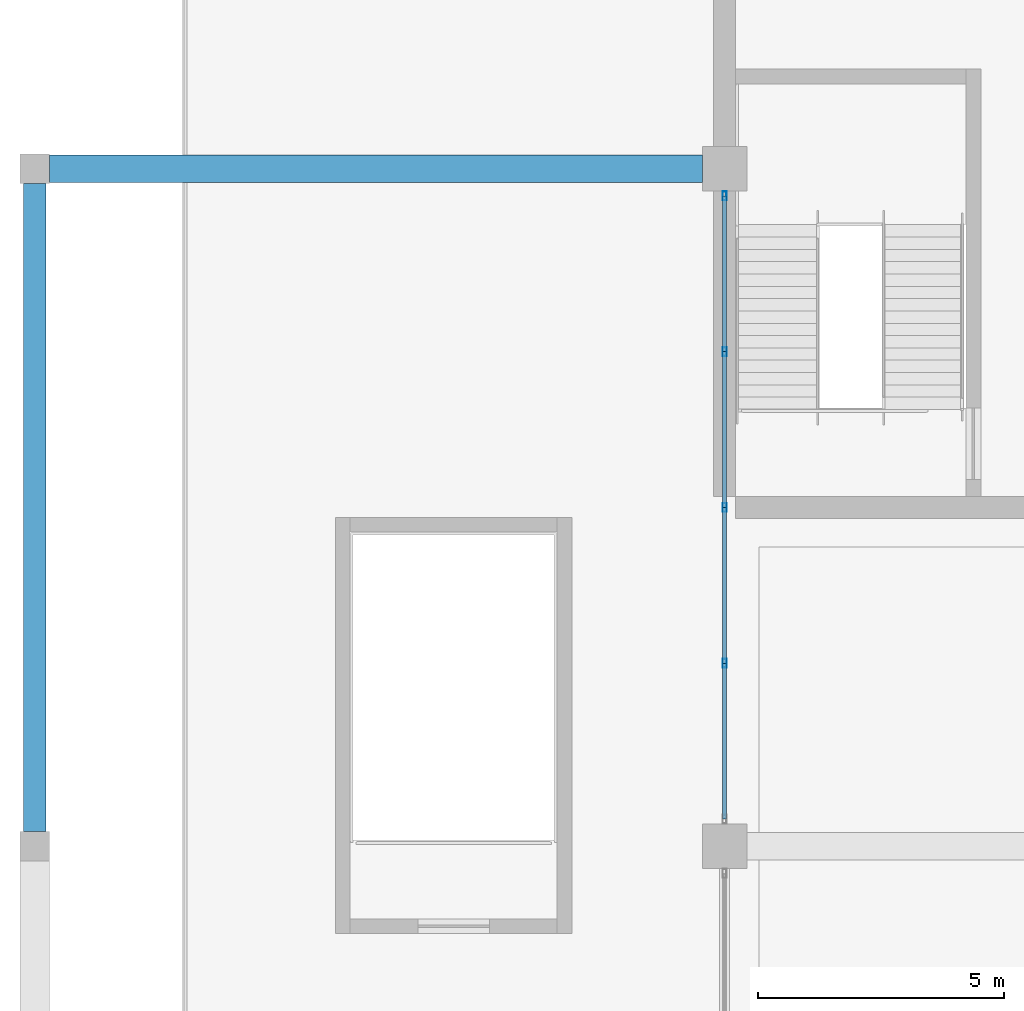
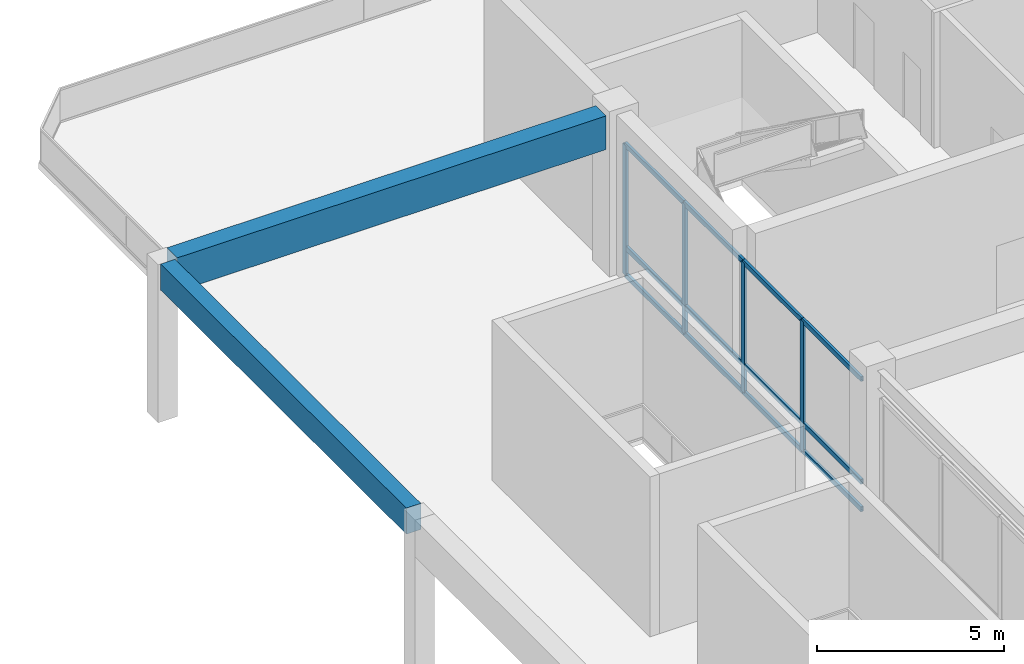
# One storey, part 32 of 90: 16 members, 2 beams, 1 element without a shape of its own.
"""IFC4 building model written with IfcOpenShell, lengths in metres."""

from ifc_helpers import new_model, si_unit, direction, frame, origin, origin_2d, place, context, subcontext, project, spatial, rectangle, hollow_rectangle, extrude, material, material_profile, profile_set, type_object, element, aggregate, save


model = new_model("IFC4")

# Units and contexts
model_context = context("Model", 3, precision=1e-05, world=origin(), true_north=direction((0.0, 1.0)))
body_context = subcontext(model_context, "Body", "Model", "MODEL_VIEW")
ifc_project = project(units=[si_unit("LENGTHUNIT", "METRE"), si_unit("AREAUNIT", "SQUARE_METRE"), si_unit("VOLUMEUNIT", "CUBIC_METRE"), si_unit("PLANEANGLEUNIT", "RADIAN"), si_unit("MASSUNIT", "GRAM", prefix="KILO")], contexts=[model_context])

# Site, building, storey
site_placement = place(None, origin())
site = spatial("IfcSite", under=ifc_project, at=site_placement, CompositionType="ELEMENT")
building_placement = place(site_placement, origin())
building = spatial("IfcBuilding", under=site, at=building_placement, Name="Linyun Crest Stadium", CompositionType="ELEMENT")
storey_placement = place(building_placement, frame((0.0, 0.0, 21.0)))
storey = spatial("IfcBuildingStorey", under=building, at=storey_placement, Name="L05", CompositionType="ELEMENT", Elevation=21.0)

# Beam
ifc_material_1 = material(Name="Concrete C40", Category="concrete")
ifc_material_profile_1 = material_profile(ifc_material_1, rectangle(XDim=0.449951171875, YDim=0.85009765625, at=origin_2d()), Name="RCB 850x450")
ifc_profile_set_1 = profile_set([ifc_material_profile_1], Name="Concrete C40")
beam_type_1 = type_object("IfcBeamType", Name="B04", PredefinedType="BEAM", material=ifc_profile_set_1)
beam_1_placement = place(storey_placement, frame((-98.0, 29.925048828125, 4.735107421875), z_axis=(0.0, 1.0, 0.0), x_axis=(-1.0, 0.0, 0.0)))
element("IfcBeam", 1, at=beam_1_placement, inside=storey, type_object=beam_type_1, Name="Frame beam B04 L05 364", PredefinedType="BEAM", context=body_context, shape_type="SweptSolid", body=[
    extrude(rectangle(XDim=0.449951171875, YDim=0.85009765625, at=origin_2d()), origin(), (0.0, 0.0, 1.0), 13.14990234375),
])

# Curtain wall, members
ifc_material_2 = material(Name="Verdigris steel and low-E curtain wall assembly", Category="steel")
curtain_wall_type = type_object("IfcCurtainWallType", Name="MCW01", PredefinedType="NOTDEFINED", material=ifc_material_2)
curtain_wall_placement = place(storey_placement, origin())
curtain_wall = element("IfcCurtainWall", 2, at=curtain_wall_placement, inside=storey, type_object=curtain_wall_type, Name="CWR-121", PredefinedType="NOTDEFINED")
ifc_material_3 = material(Name="Verdigris painted steel Q355B mullion", Category="steel")
ifc_material_profile_2 = material_profile(ifc_material_3, hollow_rectangle(XDim=0.080078125, YDim=0.179931640625, WallThickness=0.006103515625, at=origin_2d()), Name="RHS 180x80x6")
ifc_profile_set_2 = profile_set([ifc_material_profile_2], Name="Verdigris painted steel Q355B mullion")
member_type_1 = type_object("IfcMemberType", Name="ML02", PredefinedType="MULLION", material=ifc_profile_set_2)
member_1_placement = place(storey_placement, frame((-84.0, 33.337890625, 0.0), z_axis=(0.0, 0.0, 1.0), x_axis=(-1.0, 0.0, 0.0)))
member_1 = element("IfcMember", 3, at=member_1_placement, type_object=member_type_1, Name="CWR-121 mullion 2", PredefinedType="MULLION", context=body_context, shape_type="SweptSolid", body=[
    extrude(hollow_rectangle(XDim=0.080078125, YDim=0.179931640625, WallThickness=0.006103515625, at=origin_2d()), origin(), (0.0, 0.0, 1.0), 4.25),
])
member_2_placement = place(storey_placement, frame((-84.0, 36.5, 0.0), z_axis=(0.0, 0.0, 1.0), x_axis=(-1.0, 0.0, 0.0)))
member_2 = element("IfcMember", 4, at=member_2_placement, type_object=member_type_1, Name="CWR-121 mullion 3", PredefinedType="MULLION", context=body_context, shape_type="SweptSolid", body=[
    extrude(hollow_rectangle(XDim=0.080078125, YDim=0.179931640625, WallThickness=0.006103515625, at=origin_2d()), origin(), (0.0, 0.0, 1.0), 4.25),
])
member_3_placement = place(storey_placement, frame((-84.0, 39.662109375, 0.0), z_axis=(0.0, 0.0, 1.0), x_axis=(-1.0, 0.0, 0.0)))
member_3 = element("IfcMember", 5, at=member_3_placement, type_object=member_type_1, Name="CWR-121 mullion 4", PredefinedType="MULLION", context=body_context, shape_type="SweptSolid", body=[
    extrude(hollow_rectangle(XDim=0.080078125, YDim=0.179931640625, WallThickness=0.006103515625, at=origin_2d()), origin(), (0.0, 0.0, 1.0), 4.25),
])
member_4_placement = place(storey_placement, frame((-84.0, 42.824951171875, 0.0), z_axis=(0.0, 0.0, 1.0), x_axis=(-1.0, 0.0, 0.0)))
member_4 = element("IfcMember", 6, at=member_4_placement, type_object=member_type_1, Name="CWR-121 mullion 5", PredefinedType="MULLION", context=body_context, shape_type="SweptSolid", body=[
    extrude(hollow_rectangle(XDim=0.080078125, YDim=0.179931640625, WallThickness=0.006103515625, at=origin_2d()), origin(), (0.0, 0.0, 1.0), 4.25),
])

# Beam
ifc_material_4 = material(Name="Concrete C50", Category="concrete")
ifc_material_profile_3 = material_profile(ifc_material_4, rectangle(XDim=0.550048828125, YDim=1.10009765625, at=origin_2d()), Name="RCB 1100x550")
ifc_profile_set_3 = profile_set([ifc_material_profile_3], Name="Concrete C50")
beam_type_2 = type_object("IfcBeamType", Name="TB01", PredefinedType="USERDEFINED", material=ifc_profile_set_3)
beam_2_placement = place(storey_placement, frame((-97.699951171875, 43.375, 4.610107421875), z_axis=(1.0, 0.0, 0.0), x_axis=(0.0, 1.0, 0.0)))
element("IfcBeam", 7, at=beam_2_placement, inside=storey, type_object=beam_type_2, Name="Frame beam TB01 L05 357", ObjectType="GIRDER", PredefinedType="USERDEFINED", context=body_context, shape_type="SweptSolid", body=[
    extrude(rectangle(XDim=0.550048828125, YDim=1.10009765625, at=origin_2d()), origin(), (0.0, 0.0, 1.0), 13.25),
])

# Member
ifc_material_5 = material(Name="Aluminium thermally broken transom", Category="aluminium")
ifc_material_profile_4 = material_profile(ifc_material_5, hollow_rectangle(XDim=0.080078125, YDim=0.159912109375, WallThickness=0.006103515625, at=origin_2d()), Name="RHS 160x80x6")
ifc_profile_set_4 = profile_set([ifc_material_profile_4], Name="Aluminium thermally broken transom")
member_type_2 = type_object("IfcMemberType", Name="TR01", PredefinedType="USERDEFINED", material=ifc_profile_set_4)
member_5_placement = place(storey_placement, frame((-84.0, 30.175048828125, 0.0), z_axis=(0.0, 1.0, 0.0), x_axis=(-1.0, 0.0, 0.0)))
member_5 = element("IfcMember", 8, at=member_5_placement, type_object=member_type_2, Name="CWR-121 transom 1.1", ObjectType="TRANSOM", PredefinedType="USERDEFINED", context=body_context, shape_type="SweptSolid", body=[
    extrude(hollow_rectangle(XDim=0.080078125, YDim=0.159912109375, WallThickness=0.006103515625, at=origin_2d()), origin(), (0.0, 0.0, 1.0), 3.162841796875),
])

member_6_placement = place(storey_placement, frame((-84.0, 30.175048828125, 0.89990234375), z_axis=(0.0, 1.0, 0.0), x_axis=(-1.0, 0.0, 0.0)))
member_6 = element("IfcMember", 9, at=member_6_placement, type_object=member_type_2, Name="CWR-121 transom 1.2", ObjectType="TRANSOM", PredefinedType="USERDEFINED", context=body_context, shape_type="SweptSolid", body=[
    extrude(hollow_rectangle(XDim=0.080078125, YDim=0.159912109375, WallThickness=0.006103515625, at=origin_2d()), origin(), (0.0, 0.0, 1.0), 3.162841796875),
])

member_7_placement = place(storey_placement, frame((-84.0, 30.175048828125, 4.25), z_axis=(0.0, 1.0, 0.0), x_axis=(-1.0, 0.0, 0.0)))
member_7 = element("IfcMember", 10, at=member_7_placement, type_object=member_type_2, Name="CWR-121 transom 1.3", ObjectType="TRANSOM", PredefinedType="USERDEFINED", context=body_context, shape_type="SweptSolid", body=[
    extrude(hollow_rectangle(XDim=0.080078125, YDim=0.159912109375, WallThickness=0.006103515625, at=origin_2d()), origin(), (0.0, 0.0, 1.0), 3.162841796875),
])

member_8_placement = place(storey_placement, frame((-84.0, 33.337890625, 0.0), z_axis=(0.0, 1.0, 0.0), x_axis=(-1.0, 0.0, 0.0)))
member_8 = element("IfcMember", 11, at=member_8_placement, type_object=member_type_2, Name="CWR-121 transom 2.1", ObjectType="TRANSOM", PredefinedType="USERDEFINED", context=body_context, shape_type="SweptSolid", body=[
    extrude(hollow_rectangle(XDim=0.080078125, YDim=0.159912109375, WallThickness=0.006103515625, at=origin_2d()), origin(), (0.0, 0.0, 1.0), 3.162109375),
])

member_9_placement = place(storey_placement, frame((-84.0, 33.337890625, 0.89990234375), z_axis=(0.0, 1.0, 0.0), x_axis=(-1.0, 0.0, 0.0)))
member_9 = element("IfcMember", 12, at=member_9_placement, type_object=member_type_2, Name="CWR-121 transom 2.2", ObjectType="TRANSOM", PredefinedType="USERDEFINED", context=body_context, shape_type="SweptSolid", body=[
    extrude(hollow_rectangle(XDim=0.080078125, YDim=0.159912109375, WallThickness=0.006103515625, at=origin_2d()), origin(), (0.0, 0.0, 1.0), 3.162109375),
])

member_10_placement = place(storey_placement, frame((-84.0, 33.337890625, 4.25), z_axis=(0.0, 1.0, 0.0), x_axis=(-1.0, 0.0, 0.0)))
member_10 = element("IfcMember", 13, at=member_10_placement, type_object=member_type_2, Name="CWR-121 transom 2.3", ObjectType="TRANSOM", PredefinedType="USERDEFINED", context=body_context, shape_type="SweptSolid", body=[
    extrude(hollow_rectangle(XDim=0.080078125, YDim=0.159912109375, WallThickness=0.006103515625, at=origin_2d()), origin(), (0.0, 0.0, 1.0), 3.162109375),
])

member_11_placement = place(storey_placement, frame((-84.0, 36.5, 0.0), z_axis=(0.0, 1.0, 0.0), x_axis=(-1.0, 0.0, 0.0)))
member_11 = element("IfcMember", 14, at=member_11_placement, type_object=member_type_2, Name="CWR-121 transom 3.1", ObjectType="TRANSOM", PredefinedType="USERDEFINED", context=body_context, shape_type="SweptSolid", body=[
    extrude(hollow_rectangle(XDim=0.080078125, YDim=0.159912109375, WallThickness=0.006103515625, at=origin_2d()), origin(), (0.0, 0.0, 1.0), 3.162109375),
])

member_12_placement = place(storey_placement, frame((-84.0, 36.5, 0.89990234375), z_axis=(0.0, 1.0, 0.0), x_axis=(-1.0, 0.0, 0.0)))
member_12 = element("IfcMember", 15, at=member_12_placement, type_object=member_type_2, Name="CWR-121 transom 3.2", ObjectType="TRANSOM", PredefinedType="USERDEFINED", context=body_context, shape_type="SweptSolid", body=[
    extrude(hollow_rectangle(XDim=0.080078125, YDim=0.159912109375, WallThickness=0.006103515625, at=origin_2d()), origin(), (0.0, 0.0, 1.0), 3.162109375),
])

member_13_placement = place(storey_placement, frame((-84.0, 36.5, 4.25), z_axis=(0.0, 1.0, 0.0), x_axis=(-1.0, 0.0, 0.0)))
member_13 = element("IfcMember", 16, at=member_13_placement, type_object=member_type_2, Name="CWR-121 transom 3.3", ObjectType="TRANSOM", PredefinedType="USERDEFINED", context=body_context, shape_type="SweptSolid", body=[
    extrude(hollow_rectangle(XDim=0.080078125, YDim=0.159912109375, WallThickness=0.006103515625, at=origin_2d()), origin(), (0.0, 0.0, 1.0), 3.162109375),
])

member_14_placement = place(storey_placement, frame((-84.0, 39.662109375, 0.0), z_axis=(0.0, 1.0, 0.0), x_axis=(-1.0, 0.0, 0.0)))
member_14 = element("IfcMember", 17, at=member_14_placement, type_object=member_type_2, Name="CWR-121 transom 4.1", ObjectType="TRANSOM", PredefinedType="USERDEFINED", context=body_context, shape_type="SweptSolid", body=[
    extrude(hollow_rectangle(XDim=0.080078125, YDim=0.159912109375, WallThickness=0.006103515625, at=origin_2d()), origin(), (0.0, 0.0, 1.0), 3.162841796875),
])

member_15_placement = place(storey_placement, frame((-84.0, 39.662109375, 0.89990234375), z_axis=(0.0, 1.0, 0.0), x_axis=(-1.0, 0.0, 0.0)))
member_15 = element("IfcMember", 18, at=member_15_placement, type_object=member_type_2, Name="CWR-121 transom 4.2", ObjectType="TRANSOM", PredefinedType="USERDEFINED", context=body_context, shape_type="SweptSolid", body=[
    extrude(hollow_rectangle(XDim=0.080078125, YDim=0.159912109375, WallThickness=0.006103515625, at=origin_2d()), origin(), (0.0, 0.0, 1.0), 3.162841796875),
])

member_16_placement = place(storey_placement, frame((-84.0, 39.662109375, 4.25), z_axis=(0.0, 1.0, 0.0), x_axis=(-1.0, 0.0, 0.0)))
member_16 = element("IfcMember", 19, at=member_16_placement, type_object=member_type_2, Name="CWR-121 transom 4.3", ObjectType="TRANSOM", PredefinedType="USERDEFINED", context=body_context, shape_type="SweptSolid", body=[
    extrude(hollow_rectangle(XDim=0.080078125, YDim=0.159912109375, WallThickness=0.006103515625, at=origin_2d()), origin(), (0.0, 0.0, 1.0), 3.162841796875),
])

aggregate(curtain_wall, [member_1, member_2, member_3, member_4, member_5, member_6, member_7, member_8, member_9, member_10, member_11, member_12, member_13, member_14, member_15, member_16])

save(model, "model.ifc")
